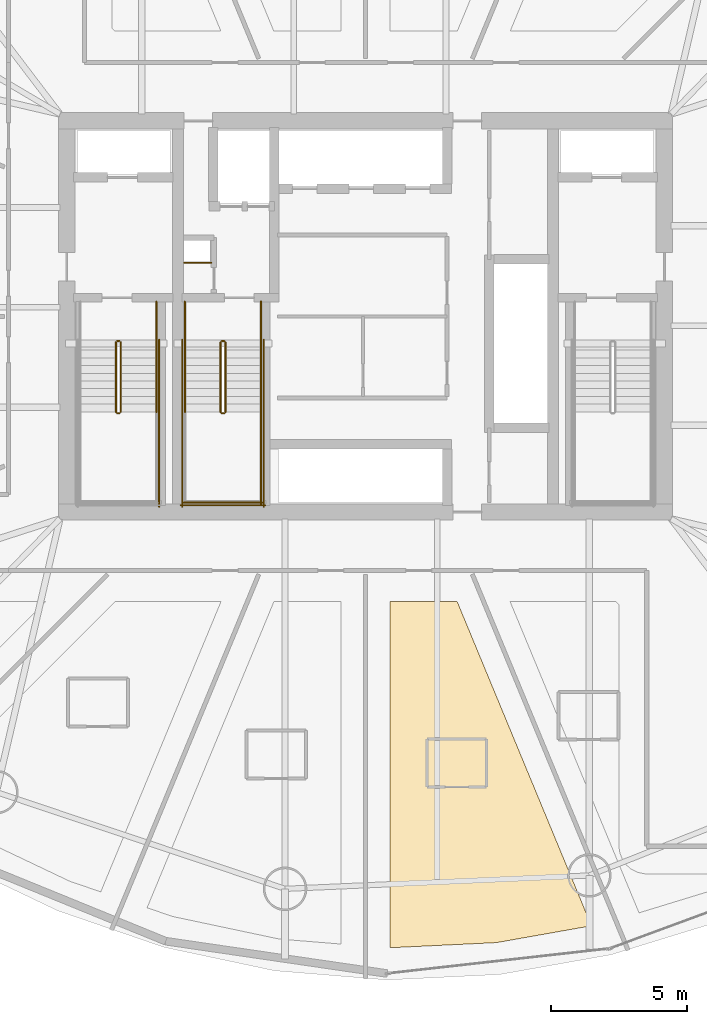
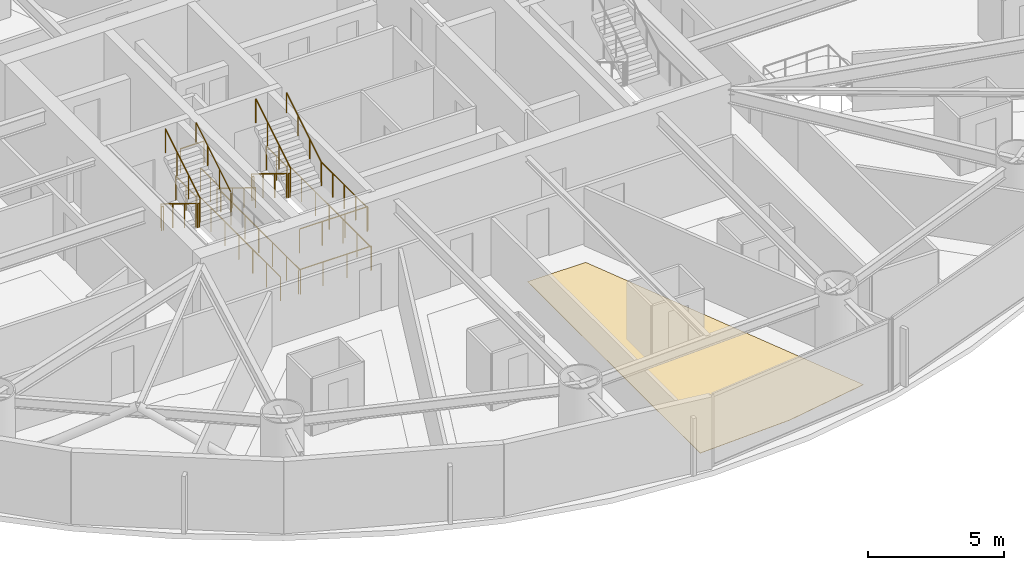
# One storey, part 24 of 27: 21 railings, 1 covering.
"""IFC4 building model written with IfcOpenShell, lengths in metres."""

from ifc_helpers import new_model, si_unit, direction, frame, origin, origin_2d, place, context, subcontext, project, spatial, polyline, circle, outline, extrude, material, layer, layer_set, type_object, element, save


model = new_model("IFC4")

# Units and contexts
model_context = context("Model", 3, precision=1e-05, world=origin(), true_north=direction((0.0, 1.0)))
body_context = subcontext(model_context, "Body", "Model", "MODEL_VIEW")
ifc_project = project(units=[si_unit("LENGTHUNIT", "METRE"), si_unit("AREAUNIT", "SQUARE_METRE"), si_unit("VOLUMEUNIT", "CUBIC_METRE"), si_unit("PLANEANGLEUNIT", "RADIAN"), si_unit("MASSUNIT", "GRAM", prefix="KILO")], contexts=[model_context])

# Site, building, storey
site_placement = place(None, origin())
site = spatial("IfcSite", under=ifc_project, at=site_placement, CompositionType="ELEMENT")
building_placement = place(site_placement, origin())
building = spatial("IfcBuilding", under=site, at=building_placement, Name="Bramvorn Convention Spire", CompositionType="ELEMENT")
storey_placement = place(building_placement, frame((0.0, 0.0, 41.39990234375)))
storey = spatial("IfcBuildingStorey", under=building, at=storey_placement, Name="L07", CompositionType="ELEMENT", Elevation=41.39990234375)

# Covering
ifc_material_1 = material(Name="Solution-Dyed Wool Broadloom Hospitality Carpet", Category="textile")
ifc_layer = layer(ifc_material_1, 0.014892578125)
ifc_layer_set = layer_set([ifc_layer], Name="Solution-Dyed Wool Broadloom Hospitality Carpet - FLR-CARPET-15")
covering_type = type_object("IfcCoveringType", Name="FLR-CARPET-15", PredefinedType="FLOORING", material=ifc_layer_set)
covering_placement = place(storey_placement, origin())
element("IfcCovering", 1, at=covering_placement, inside=storey, type_object=covering_type, Name="Hotel Suite 0713 wool broadloom carpet", PredefinedType="FLOORING", context=body_context, shape_type="SweptSolid", body=[
    extrude(outline(polyline([(42.81982421875, 2.950927734375), (46.31640625, 3.570556640625), (41.375, 15.5), (38.89990234375, 15.5), (38.89990234375, 2.76220703125), (42.81982421875, 2.950927734375)])), origin(), (0.0, 0.0, 1.0), 0.01513671875),
])

# Railings
ifc_material_2 = material(Name="Painted Steel Balustrade & Guardrail", Category="steel")
railing_type_1 = type_object("IfcRailingType", Name="RL-STAIR-GUARD-1100", PredefinedType="GUARDRAIL", material=ifc_material_2)
railing_1_placement = place(storey_placement, frame((28.81005859375, 25.050048828125, 0.175048828125)))
element("IfcRailing", 2, at=railing_1_placement, inside=storey, type_object=railing_type_1, Name="L07 ST1 stair guard 1", PredefinedType="GUARDRAIL", context=body_context, shape_type="SweptSolid", body=[
    extrude(circle(Radius=0.02392578125, at=origin_2d()), frame((0.0, 0.0, 1.076171875), z_axis=(0.0, -0.852173129349, 0.523259933127), x_axis=(1.0, 0.0, 0.0)), (0.0, 0.0, 1.0), 3.009765625),
    extrude(circle(Radius=0.02099609375, at=origin_2d()), origin(), (0.0, 0.0, 1.0), 1.052001953125),
    extrude(circle(Radius=0.02099609375, at=origin_2d()), frame((0.0, -0.85498046875, 0.52490234375)), (0.0, 0.0, 1.0), 1.052001953125),
    extrude(circle(Radius=0.02099609375, at=origin_2d()), frame((0.0, -1.7099609375, 1.050048828125)), (0.0, 0.0, 1.0), 1.052001953125),
    extrude(circle(Radius=0.02099609375, at=origin_2d()), frame((0.0, -2.56494140625, 1.574951171875)), (0.0, 0.0, 1.0), 1.052001953125),
])
railing_2_placement = place(storey_placement, frame((28.860107421875, 22.43505859375, 1.75)))
element("IfcRailing", 3, at=railing_2_placement, inside=storey, type_object=railing_type_1, Name="L07 ST1 stair guard 2", PredefinedType="GUARDRAIL", context=body_context, shape_type="SweptSolid", body=[
    extrude(circle(Radius=0.02392578125, at=origin_2d()), frame((0.0, 0.0, 1.076171875), z_axis=(1.0, 0.0, 0.0), x_axis=(0.0, 1.0, 0.0)), (0.0, 0.0, 1.0), 0.079833984375),
    extrude(circle(Radius=0.02099609375, at=origin_2d()), origin(), (0.0, 0.0, 1.0), 1.052001953125),
    extrude(circle(Radius=0.02099609375, at=origin_2d()), frame((0.079833984375, 0.0, 0.0)), (0.0, 0.0, 1.0), 1.052001953125),
])
railing_3_placement = place(storey_placement, frame((28.989990234375, 22.485107421875, 1.925048828125)))
element("IfcRailing", 4, at=railing_3_placement, inside=storey, type_object=railing_type_1, Name="L07 ST1 stair guard 6", PredefinedType="GUARDRAIL", context=body_context, shape_type="SweptSolid", body=[
    extrude(circle(Radius=0.02392578125, at=origin_2d()), frame((0.0, 0.0, 1.076171875), z_axis=(0.0, 0.852173129349, 0.523259933127), x_axis=(-1.0, 0.0, 0.0)), (0.0, 0.0, 1.0), 3.009765625),
    extrude(circle(Radius=0.02099609375, at=origin_2d()), origin(), (0.0, 0.0, 1.0), 1.052001953125),
    extrude(circle(Radius=0.02099609375, at=origin_2d()), frame((0.0, 0.85498046875, 0.52490234375)), (0.0, 0.0, 1.0), 1.052001953125),
    extrude(circle(Radius=0.02099609375, at=origin_2d()), frame((0.0, 1.7099609375, 1.050048828125)), (0.0, 0.0, 1.0), 1.052001953125),
    extrude(circle(Radius=0.02099609375, at=origin_2d()), frame((0.0, 2.56494140625, 1.574951171875)), (0.0, 0.0, 1.0), 1.052001953125),
])
railing_4_placement = place(storey_placement, frame((28.860107421875, 25.10009765625, 0.0)))
element("IfcRailing", 5, at=railing_4_placement, inside=storey, type_object=railing_type_1, Name="L07 ST1 stair guard 7", PredefinedType="GUARDRAIL", context=body_context, shape_type="SweptSolid", body=[
    extrude(circle(Radius=0.02392578125, at=origin_2d()), frame((0.0, 0.0, 1.076171875), z_axis=(1.0, 0.0, 0.0), x_axis=(0.0, 1.0, 0.0)), (0.0, 0.0, 1.0), 0.079833984375),
    extrude(circle(Radius=0.02099609375, at=origin_2d()), origin(), (0.0, 0.0, 1.0), 1.052001953125),
    extrude(circle(Radius=0.02099609375, at=origin_2d()), frame((0.079833984375, 0.0, 0.0)), (0.0, 0.0, 1.0), 1.052001953125),
])
railing_5_placement = place(storey_placement, frame((30.300048828125, 26.550048828125, 0.0)))
element("IfcRailing", 6, at=railing_5_placement, inside=storey, type_object=railing_type_1, Name="L07 ST1 stair guard 9", PredefinedType="GUARDRAIL", context=body_context, shape_type="SweptSolid", body=[
    extrude(circle(Radius=0.02392578125, at=origin_2d()), frame((0.0, 0.0, 1.076171875), z_axis=(0.0, -1.0, 0.0), x_axis=(1.0, 0.0, 0.0)), (0.0, 0.0, 1.0), 1.5),
    extrude(circle(Radius=0.02099609375, at=origin_2d()), origin(), (0.0, 0.0, 1.0), 1.052001953125),
    extrude(circle(Radius=0.02099609375, at=origin_2d()), frame((0.0, -0.75, 0.0)), (0.0, 0.0, 1.0), 1.052001953125),
    extrude(circle(Radius=0.02099609375, at=origin_2d()), frame((0.0, -1.5, 0.0)), (0.0, 0.0, 1.0), 1.052001953125),
])
railing_6_placement = place(storey_placement, frame((30.39990234375, 25.14990234375, 0.0)))
element("IfcRailing", 7, at=railing_6_placement, inside=storey, type_object=railing_type_1, Name="L07 ST1 stair guard 11", PredefinedType="GUARDRAIL", context=body_context, shape_type="SweptSolid", body=[
    extrude(circle(Radius=0.02392578125, at=origin_2d()), frame((0.0, 0.0, 1.076171875), z_axis=(0.0, -1.0, 0.0), x_axis=(1.0, 0.0, 0.0)), (0.0, 0.0, 1.0), 6.14990234375),
    extrude(circle(Radius=0.02099609375, at=origin_2d()), origin(), (0.0, 0.0, 1.0), 1.052001953125),
    extrude(circle(Radius=0.02099609375, at=origin_2d()), frame((0.0, -1.02490234375, 0.0)), (0.0, 0.0, 1.0), 1.052001953125),
    extrude(circle(Radius=0.02099609375, at=origin_2d()), frame((0.0, -2.050048828125, 0.0)), (0.0, 0.0, 1.0), 1.052001953125),
    extrude(circle(Radius=0.02099609375, at=origin_2d()), frame((0.0, -3.074951171875, 0.0)), (0.0, 0.0, 1.0), 1.052001953125),
    extrude(circle(Radius=0.02099609375, at=origin_2d()), frame((0.0, -4.099853515625, 0.0)), (0.0, 0.0, 1.0), 1.052001953125),
    extrude(circle(Radius=0.02099609375, at=origin_2d()), frame((0.0, -5.125, 0.0)), (0.0, 0.0, 1.0), 1.052001953125),
    extrude(circle(Radius=0.02099609375, at=origin_2d()), frame((0.0, -6.14990234375, 0.0)), (0.0, 0.0, 1.0), 1.052001953125),
])
railing_7_placement = place(storey_placement, frame((32.659912109375, 25.050048828125, 0.175048828125)))
element("IfcRailing", 8, at=railing_7_placement, inside=storey, type_object=railing_type_1, Name="L07 ST3 stair guard 1", PredefinedType="GUARDRAIL", context=body_context, shape_type="SweptSolid", body=[
    extrude(circle(Radius=0.02392578125, at=origin_2d()), frame((0.0, 0.0, 1.076171875), z_axis=(0.0, -0.852173129349, 0.523259933127), x_axis=(1.0, 0.0, 0.0)), (0.0, 0.0, 1.0), 3.009765625),
    extrude(circle(Radius=0.02099609375, at=origin_2d()), origin(), (0.0, 0.0, 1.0), 1.052001953125),
    extrude(circle(Radius=0.02099609375, at=origin_2d()), frame((0.0, -0.85498046875, 0.52490234375)), (0.0, 0.0, 1.0), 1.052001953125),
    extrude(circle(Radius=0.02099609375, at=origin_2d()), frame((0.0, -1.7099609375, 1.050048828125)), (0.0, 0.0, 1.0), 1.052001953125),
    extrude(circle(Radius=0.02099609375, at=origin_2d()), frame((0.0, -2.56494140625, 1.574951171875)), (0.0, 0.0, 1.0), 1.052001953125),
])
railing_8_placement = place(storey_placement, frame((32.7099609375, 22.43505859375, 1.75)))
element("IfcRailing", 9, at=railing_8_placement, inside=storey, type_object=railing_type_1, Name="L07 ST3 stair guard 2", PredefinedType="GUARDRAIL", context=body_context, shape_type="SweptSolid", body=[
    extrude(circle(Radius=0.02392578125, at=origin_2d()), frame((0.0, 0.0, 1.076171875), z_axis=(1.0, 0.0, 0.0), x_axis=(0.0, 1.0, 0.0)), (0.0, 0.0, 1.0), 0.080078125),
    extrude(circle(Radius=0.02099609375, at=origin_2d()), origin(), (0.0, 0.0, 1.0), 1.052001953125),
    extrude(circle(Radius=0.02099609375, at=origin_2d()), frame((0.080078125, 0.0, 0.0)), (0.0, 0.0, 1.0), 1.052001953125),
])
railing_9_placement = place(storey_placement, frame((34.14990234375, 22.485107421875, 1.75)))
element("IfcRailing", 10, at=railing_9_placement, inside=storey, type_object=railing_type_1, Name="L07 ST3 stair guard 4", PredefinedType="GUARDRAIL", context=body_context, shape_type="SweptSolid", body=[
    extrude(circle(Radius=0.02392578125, at=origin_2d()), frame((0.0, 0.0, 1.076171875), z_axis=(0.0, -1.0, 0.0), x_axis=(1.0, 0.0, 0.0)), (0.0, 0.0, 1.0), 3.385009765625),
    extrude(circle(Radius=0.02099609375, at=origin_2d()), origin(), (0.0, 0.0, 1.0), 1.052001953125),
    extrude(circle(Radius=0.02099609375, at=origin_2d()), frame((0.0, -0.84619140625, 0.0)), (0.0, 0.0, 1.0), 1.052001953125),
    extrude(circle(Radius=0.02099609375, at=origin_2d()), frame((0.0, -1.6923828125, 0.0)), (0.0, 0.0, 1.0), 1.052001953125),
    extrude(circle(Radius=0.02099609375, at=origin_2d()), frame((0.0, -2.538818359375, 0.0)), (0.0, 0.0, 1.0), 1.052001953125),
    extrude(circle(Radius=0.02099609375, at=origin_2d()), frame((0.0, -3.385009765625, 0.0)), (0.0, 0.0, 1.0), 1.052001953125),
])
railing_10_placement = place(storey_placement, frame((31.300048828125, 19.14990234375, 1.75)))
element("IfcRailing", 11, at=railing_10_placement, inside=storey, type_object=railing_type_1, Name="L07 ST3 stair guard 5", PredefinedType="GUARDRAIL", context=body_context, shape_type="SweptSolid", body=[
    extrude(circle(Radius=0.02392578125, at=origin_2d()), frame((0.0, 0.0, 1.076171875), z_axis=(1.0, 0.0, 0.0), x_axis=(0.0, 1.0, 0.0)), (0.0, 0.0, 1.0), 2.89990234375),
    extrude(circle(Radius=0.02099609375, at=origin_2d()), origin(), (0.0, 0.0, 1.0), 1.052001953125),
    extrude(circle(Radius=0.02099609375, at=origin_2d()), frame((0.966552734375, 0.0, 0.0)), (0.0, 0.0, 1.0), 1.052001953125),
    extrude(circle(Radius=0.02099609375, at=origin_2d()), frame((1.933349609375, 0.0, 0.0)), (0.0, 0.0, 1.0), 1.052001953125),
    extrude(circle(Radius=0.02099609375, at=origin_2d()), frame((2.89990234375, 0.0, 0.0)), (0.0, 0.0, 1.0), 1.052001953125),
])
railing_11_placement = place(storey_placement, frame((32.840087890625, 22.485107421875, 1.925048828125)))
element("IfcRailing", 12, at=railing_11_placement, inside=storey, type_object=railing_type_1, Name="L07 ST3 stair guard 6", PredefinedType="GUARDRAIL", context=body_context, shape_type="SweptSolid", body=[
    extrude(circle(Radius=0.02392578125, at=origin_2d()), frame((0.0, 0.0, 1.076171875), z_axis=(0.0, 0.852173129349, 0.523259933127), x_axis=(-1.0, 0.0, 0.0)), (0.0, 0.0, 1.0), 3.009765625),
    extrude(circle(Radius=0.02099609375, at=origin_2d()), origin(), (0.0, 0.0, 1.0), 1.052001953125),
    extrude(circle(Radius=0.02099609375, at=origin_2d()), frame((0.0, 0.85498046875, 0.52490234375)), (0.0, 0.0, 1.0), 1.052001953125),
    extrude(circle(Radius=0.02099609375, at=origin_2d()), frame((0.0, 1.7099609375, 1.050048828125)), (0.0, 0.0, 1.0), 1.052001953125),
    extrude(circle(Radius=0.02099609375, at=origin_2d()), frame((0.0, 2.56494140625, 1.574951171875)), (0.0, 0.0, 1.0), 1.052001953125),
])
railing_12_placement = place(storey_placement, frame((32.7099609375, 25.10009765625, 0.0)))
element("IfcRailing", 13, at=railing_12_placement, inside=storey, type_object=railing_type_1, Name="L07 ST3 stair guard 7", PredefinedType="GUARDRAIL", context=body_context, shape_type="SweptSolid", body=[
    extrude(circle(Radius=0.02392578125, at=origin_2d()), frame((0.0, 0.0, 1.076171875), z_axis=(1.0, 0.0, 0.0), x_axis=(0.0, 1.0, 0.0)), (0.0, 0.0, 1.0), 0.080078125),
    extrude(circle(Radius=0.02099609375, at=origin_2d()), origin(), (0.0, 0.0, 1.0), 1.052001953125),
    extrude(circle(Radius=0.02099609375, at=origin_2d()), frame((0.080078125, 0.0, 0.0)), (0.0, 0.0, 1.0), 1.052001953125),
])
for number, where, name in (
    (14, (31.35009765625, 26.550048828125, 0.0), "L07 ST3 stair guard 8"),
    (15, (34.14990234375, 26.550048828125, 0.0), "L07 ST3 stair guard 9"),
):
    element("IfcRailing", number, at=place(storey_placement, frame(where)), inside=storey, type_object=railing_type_1, Name=name, PredefinedType="GUARDRAIL", context=body_context, shape_type="SweptSolid", body=[
        extrude(circle(Radius=0.02392578125, at=origin_2d()), frame((0.0, 0.0, 1.076171875), z_axis=(0.0, -1.0, 0.0), x_axis=(1.0, 0.0, 0.0)), (0.0, 0.0, 1.0), 1.5),
        extrude(circle(Radius=0.02099609375, at=origin_2d()), origin(), (0.0, 0.0, 1.0), 1.052001953125),
        extrude(circle(Radius=0.02099609375, at=origin_2d()), frame((0.0, -0.75, 0.0)), (0.0, 0.0, 1.0), 1.052001953125),
        extrude(circle(Radius=0.02099609375, at=origin_2d()), frame((0.0, -1.5, 0.0)), (0.0, 0.0, 1.0), 1.052001953125),
    ])
for number, where, name in (
    (16, (31.25, 25.14990234375, 0.0), "L07 ST3 stair guard 10"),
    (17, (34.25, 25.14990234375, 0.0), "L07 ST3 stair guard 11"),
):
    element("IfcRailing", number, at=place(storey_placement, frame(where)), inside=storey, type_object=railing_type_1, Name=name, PredefinedType="GUARDRAIL", context=body_context, shape_type="SweptSolid", body=[
        extrude(circle(Radius=0.02392578125, at=origin_2d()), frame((0.0, 0.0, 1.076171875), z_axis=(0.0, -1.0, 0.0), x_axis=(1.0, 0.0, 0.0)), (0.0, 0.0, 1.0), 6.14990234375),
        extrude(circle(Radius=0.02099609375, at=origin_2d()), origin(), (0.0, 0.0, 1.0), 1.052001953125),
        extrude(circle(Radius=0.02099609375, at=origin_2d()), frame((0.0, -1.02490234375, 0.0)), (0.0, 0.0, 1.0), 1.052001953125),
        extrude(circle(Radius=0.02099609375, at=origin_2d()), frame((0.0, -2.050048828125, 0.0)), (0.0, 0.0, 1.0), 1.052001953125),
        extrude(circle(Radius=0.02099609375, at=origin_2d()), frame((0.0, -3.074951171875, 0.0)), (0.0, 0.0, 1.0), 1.052001953125),
        extrude(circle(Radius=0.02099609375, at=origin_2d()), frame((0.0, -4.099853515625, 0.0)), (0.0, 0.0, 1.0), 1.052001953125),
        extrude(circle(Radius=0.02099609375, at=origin_2d()), frame((0.0, -5.125, 0.0)), (0.0, 0.0, 1.0), 1.052001953125),
        extrude(circle(Radius=0.02099609375, at=origin_2d()), frame((0.0, -6.14990234375, 0.0)), (0.0, 0.0, 1.0), 1.052001953125),
    ])
railing_13_placement = place(storey_placement, frame((31.199951171875, 19.050048828125, 0.0)))
element("IfcRailing", 18, at=railing_13_placement, inside=storey, type_object=railing_type_1, Name="L07 ST3 stair guard 12", PredefinedType="GUARDRAIL", context=body_context, shape_type="SweptSolid", body=[
    extrude(circle(Radius=0.02392578125, at=origin_2d()), frame((0.0, 0.0, 1.076171875), z_axis=(1.0, 0.0, 0.0), x_axis=(0.0, 1.0, 0.0)), (0.0, 0.0, 1.0), 3.10009765625),
    extrude(circle(Radius=0.02099609375, at=origin_2d()), origin(), (0.0, 0.0, 1.0), 1.052001953125),
    extrude(circle(Radius=0.02099609375, at=origin_2d()), frame((1.033447265625, 0.0, 0.0)), (0.0, 0.0, 1.0), 1.052001953125),
    extrude(circle(Radius=0.02099609375, at=origin_2d()), frame((2.066650390625, 0.0, 0.0)), (0.0, 0.0, 1.0), 1.052001953125),
    extrude(circle(Radius=0.02099609375, at=origin_2d()), frame((3.10009765625, 0.0, 0.0)), (0.0, 0.0, 1.0), 1.052001953125),
])
railing_14_placement = place(storey_placement, frame((31.320068359375, 27.97998046875, 0.0)))
element("IfcRailing", 19, at=railing_14_placement, inside=storey, type_object=railing_type_1, Name="L07 Telecom riser shaft opening safety guardrail", PredefinedType="GUARDRAIL", context=body_context, shape_type="SweptSolid", body=[
    extrude(circle(Radius=0.02392578125, at=origin_2d()), frame((0.0, 0.0, 1.076171875), z_axis=(1.0, 0.0, 0.0), x_axis=(0.0, 1.0, 0.0)), (0.0, 0.0, 1.0), 1.0),
    extrude(circle(Radius=0.02099609375, at=origin_2d()), origin(), (0.0, 0.0, 1.0), 1.052001953125),
    extrude(circle(Radius=0.02099609375, at=origin_2d()), frame((1.0, 0.0, 0.0)), (0.0, 0.0, 1.0), 1.052001953125),
])
ifc_material_3 = material(Name="Brushed Bronze Tubular Handrail", Category="aluminium")
railing_type_2 = type_object("IfcRailingType", Name="RL-STAIR-HR-920", PredefinedType="HANDRAIL", material=ifc_material_3)
railing_15_placement = place(storey_placement, frame((30.300048828125, 22.485107421875, 1.925048828125)))
element("IfcRailing", 20, at=railing_15_placement, inside=storey, type_object=railing_type_2, Name="L07 ST1 stair handrail 2", PredefinedType="HANDRAIL", context=body_context, shape_type="SweptSolid", body=[
    extrude(circle(Radius=0.02392578125, at=origin_2d()), frame((0.0, 0.0, 0.89599609375), z_axis=(0.0, 0.852173129349, 0.523259933127), x_axis=(-1.0, 0.0, 0.0)), (0.0, 0.0, 1.0), 3.009765625),
    extrude(circle(Radius=0.02099609375, at=origin_2d()), origin(), (0.0, 0.0, 1.0), 0.871826171875),
    extrude(circle(Radius=0.02099609375, at=origin_2d()), frame((0.0, 0.85498046875, 0.52490234375)), (0.0, 0.0, 1.0), 0.871826171875),
    extrude(circle(Radius=0.02099609375, at=origin_2d()), frame((0.0, 1.7099609375, 1.050048828125)), (0.0, 0.0, 1.0), 0.871826171875),
    extrude(circle(Radius=0.02099609375, at=origin_2d()), frame((0.0, 2.56494140625, 1.574951171875)), (0.0, 0.0, 1.0), 0.871826171875),
])
railing_16_placement = place(storey_placement, frame((31.35009765625, 25.050048828125, 0.175048828125)))
element("IfcRailing", 21, at=railing_16_placement, inside=storey, type_object=railing_type_2, Name="L07 ST3 stair handrail 1", PredefinedType="HANDRAIL", context=body_context, shape_type="SweptSolid", body=[
    extrude(circle(Radius=0.02392578125, at=origin_2d()), frame((0.0, 0.0, 0.89599609375), z_axis=(0.0, -0.852173129349, 0.523259933127), x_axis=(1.0, 0.0, 0.0)), (0.0, 0.0, 1.0), 3.009765625),
    extrude(circle(Radius=0.02099609375, at=origin_2d()), origin(), (0.0, 0.0, 1.0), 0.871826171875),
    extrude(circle(Radius=0.02099609375, at=origin_2d()), frame((0.0, -0.85498046875, 0.52490234375)), (0.0, 0.0, 1.0), 0.871826171875),
    extrude(circle(Radius=0.02099609375, at=origin_2d()), frame((0.0, -1.7099609375, 1.050048828125)), (0.0, 0.0, 1.0), 0.871826171875),
    extrude(circle(Radius=0.02099609375, at=origin_2d()), frame((0.0, -2.56494140625, 1.574951171875)), (0.0, 0.0, 1.0), 0.871826171875),
])
railing_17_placement = place(storey_placement, frame((34.14990234375, 22.485107421875, 1.925048828125)))
element("IfcRailing", 22, at=railing_17_placement, inside=storey, type_object=railing_type_2, Name="L07 ST3 stair handrail 2", PredefinedType="HANDRAIL", context=body_context, shape_type="SweptSolid", body=[
    extrude(circle(Radius=0.02392578125, at=origin_2d()), frame((0.0, 0.0, 0.89599609375), z_axis=(0.0, 0.852173129349, 0.523259933127), x_axis=(-1.0, 0.0, 0.0)), (0.0, 0.0, 1.0), 3.009765625),
    extrude(circle(Radius=0.02099609375, at=origin_2d()), origin(), (0.0, 0.0, 1.0), 0.871826171875),
    extrude(circle(Radius=0.02099609375, at=origin_2d()), frame((0.0, 0.85498046875, 0.52490234375)), (0.0, 0.0, 1.0), 0.871826171875),
    extrude(circle(Radius=0.02099609375, at=origin_2d()), frame((0.0, 1.7099609375, 1.050048828125)), (0.0, 0.0, 1.0), 0.871826171875),
    extrude(circle(Radius=0.02099609375, at=origin_2d()), frame((0.0, 2.56494140625, 1.574951171875)), (0.0, 0.0, 1.0), 0.871826171875),
])

save(model, "model.ifc")
